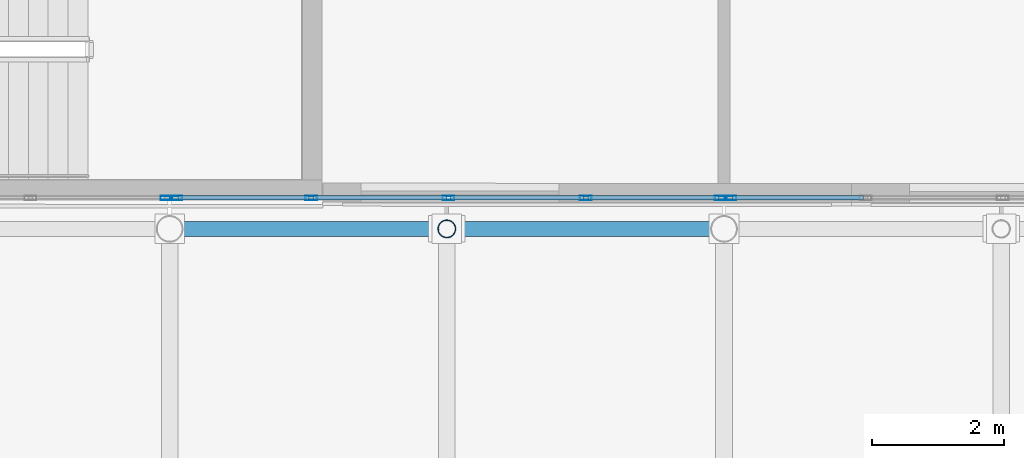
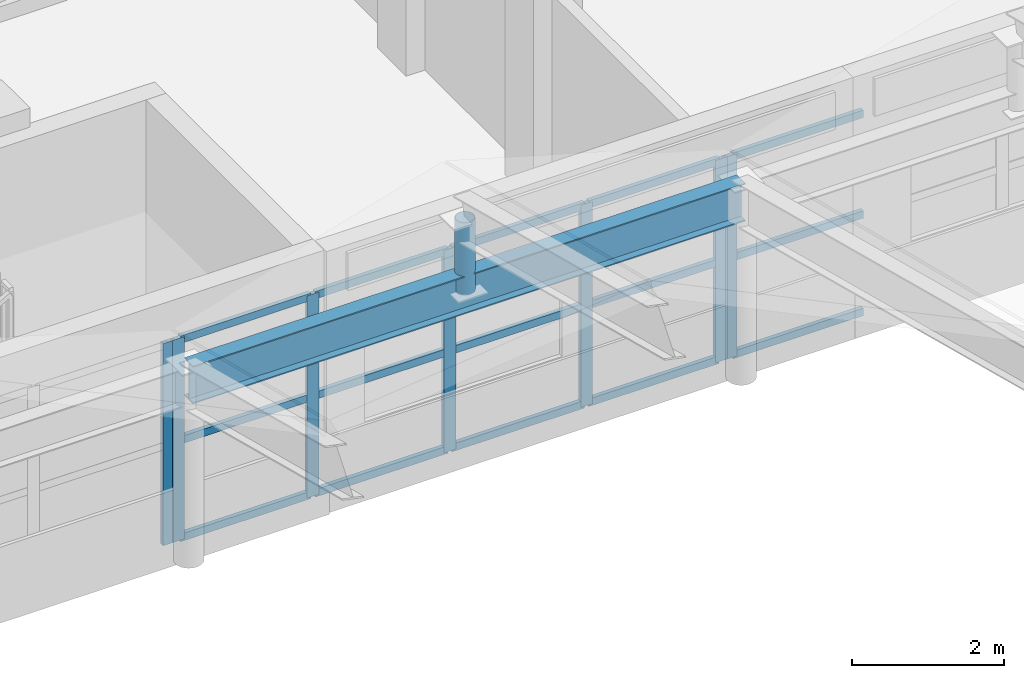
# One storey, part 78 of 184: 23 members, 1 beam, 3 elements without a shape of their own.
"""IFC4 building model written with IfcOpenShell, lengths in metres."""

from ifc_helpers import new_model, si_unit, direction, frame, origin, origin_2d, place, context, subcontext, project, spatial, hollow_rectangle, hollow_circle, i_section, extrude, material, material_profile, profile_set, type_object, element, aggregate, save


model = new_model("IFC4")

# Units and contexts
model_context = context("Model", 3, precision=1e-05, world=origin(), true_north=direction((0.0, 1.0)))
body_context = subcontext(model_context, "Body", "Model", "MODEL_VIEW")
ifc_project = project(units=[si_unit("LENGTHUNIT", "METRE"), si_unit("AREAUNIT", "SQUARE_METRE"), si_unit("VOLUMEUNIT", "CUBIC_METRE"), si_unit("PLANEANGLEUNIT", "RADIAN"), si_unit("MASSUNIT", "GRAM", prefix="KILO")], contexts=[model_context])

# Site, building, storey
site_placement = place(None, origin())
site = spatial("IfcSite", under=ifc_project, at=site_placement, CompositionType="ELEMENT")
building_placement = place(site_placement, origin())
building = spatial("IfcBuilding", under=site, at=building_placement, Name="Selatvlak General Hospital", CompositionType="ELEMENT")
storey_placement = place(building_placement, frame((0.0, 0.0, 15.0)))
storey = spatial("IfcBuildingStorey", under=building, at=storey_placement, Name="L03", CompositionType="ELEMENT", Elevation=15.0)

# Beam
ifc_material_1 = material(Name="Steel S355", Category="steel")
ifc_material_profile_1 = material_profile(ifc_material_1, i_section(OverallWidth=0.228271484375, OverallDepth=0.607666015625, WebThickness=0.010986328125, FlangeThickness=0.017333984375, at=origin_2d()), Name="UB 610x229x113")
ifc_profile_set_1 = profile_set([ifc_material_profile_1], Name="Steel S355")
beam_type = type_object("IfcBeamType", Name="BM-RF4", PredefinedType="BEAM", material=ifc_profile_set_1)
beam_placement = place(storey_placement, frame((31.199951171875, 83.449951171875, 2.87109375), z_axis=(1.0, 0.0, 0.0), x_axis=(0.0, 1.0, 0.0)))
element("IfcBeam", 1, at=beam_placement, inside=storey, type_object=beam_type, Name="Folded roof N valley girder 2", PredefinedType="BEAM", context=body_context, shape_type="SweptSolid", body=[
    extrude(i_section(OverallWidth=0.228271484375, OverallDepth=0.607666015625, WebThickness=0.010986328125, FlangeThickness=0.017333984375, at=origin_2d()), origin(), (0.0, 0.0, 1.0), 8.400146484375),
])

# Curtain wall, member
ifc_material_2 = material(Name="Solar-control Low-E double glazing", Category="glass")
curtain_wall_type = type_object("IfcCurtainWallType", Name="CW-CW-04", PredefinedType="USERDEFINED", material=ifc_material_2)
curtain_wall_1_placement = place(storey_placement, origin())
curtain_wall_1 = element("IfcCurtainWall", 2, at=curtain_wall_1_placement, inside=storey, type_object=curtain_wall_type, Name="Glazed facade curtain wall CW-L03-0716", ObjectType="STICK GLAZING WALL", PredefinedType="USERDEFINED")
ifc_material_3 = material(Name="Dark anodised aluminium mullion", Category="aluminium")
ifc_material_profile_2 = material_profile(ifc_material_3, hollow_rectangle(XDim=0.06494140625, YDim=0.179931640625, WallThickness=0.00439453125, at=origin_2d()), Name="AL-MUL 65x180x4.5")
ifc_profile_set_2 = profile_set([ifc_material_profile_2], Name="Dark anodised aluminium mullion")
member_type_1 = type_object("IfcMemberType", Name="CWM-02", PredefinedType="MULLION", material=ifc_profile_set_2)
member_1_placement = place(storey_placement, frame((31.152587890625, 83.919921875, 0.0), z_axis=(0.0, 0.0, 1.0), x_axis=(0.0, 1.0, 0.0)))
member_1 = element("IfcMember", 3, at=member_1_placement, type_object=member_type_1, Name="CW-04 mullion 5", PredefinedType="MULLION", context=body_context, shape_type="SweptSolid", body=[
    extrude(hollow_rectangle(XDim=0.06494140625, YDim=0.179931640625, WallThickness=0.00439453125, at=origin_2d()), origin(), (0.0, 0.0, 1.0), 3.25),
])
aggregate(curtain_wall_1, [member_1])

# Curtain wall, members
curtain_wall_2_placement = place(storey_placement, origin())
curtain_wall_2 = element("IfcCurtainWall", 4, at=curtain_wall_2_placement, inside=storey, type_object=curtain_wall_type, Name="Glazed facade curtain wall CW-L03-0717", ObjectType="STICK GLAZING WALL", PredefinedType="USERDEFINED")
member_2_placement = place(storey_placement, frame((31.297607421875, 83.919921875, 0.0), z_axis=(0.0, 0.0, 1.0), x_axis=(0.0, 1.0, 0.0)))
member_2 = element("IfcMember", 5, at=member_2_placement, type_object=member_type_1, Name="CW-04 mullion 1", PredefinedType="MULLION", context=body_context, shape_type="SweptSolid", body=[
    extrude(hollow_rectangle(XDim=0.06494140625, YDim=0.179931640625, WallThickness=0.00439453125, at=origin_2d()), origin(), (0.0, 0.0, 1.0), 3.25),
])
member_3_placement = place(storey_placement, frame((33.344970703125, 83.919921875, 0.0), z_axis=(0.0, 0.0, 1.0), x_axis=(0.0, 1.0, 0.0)))
member_3 = element("IfcMember", 6, at=member_3_placement, type_object=member_type_1, Name="CW-04 mullion 2", PredefinedType="MULLION", context=body_context, shape_type="SweptSolid", body=[
    extrude(hollow_rectangle(XDim=0.06494140625, YDim=0.179931640625, WallThickness=0.00439453125, at=origin_2d()), origin(), (0.0, 0.0, 1.0), 3.25),
])
member_4_placement = place(storey_placement, frame((35.425048828125, 83.919921875, 0.0), z_axis=(0.0, 0.0, 1.0), x_axis=(0.0, 1.0, 0.0)))
member_4 = element("IfcMember", 7, at=member_4_placement, type_object=member_type_1, Name="CW-04 mullion 3", PredefinedType="MULLION", context=body_context, shape_type="SweptSolid", body=[
    extrude(hollow_rectangle(XDim=0.06494140625, YDim=0.179931640625, WallThickness=0.00439453125, at=origin_2d()), origin(), (0.0, 0.0, 1.0), 3.25),
])
member_5_placement = place(storey_placement, frame((37.5048828125, 83.919921875, 0.0), z_axis=(0.0, 0.0, 1.0), x_axis=(0.0, 1.0, 0.0)))
member_5 = element("IfcMember", 8, at=member_5_placement, type_object=member_type_1, Name="CW-04 mullion 4", PredefinedType="MULLION", context=body_context, shape_type="SweptSolid", body=[
    extrude(hollow_rectangle(XDim=0.06494140625, YDim=0.179931640625, WallThickness=0.00439453125, at=origin_2d()), origin(), (0.0, 0.0, 1.0), 3.25),
])
member_6_placement = place(storey_placement, frame((39.552490234375, 83.919921875, 0.0), z_axis=(0.0, 0.0, 1.0), x_axis=(0.0, 1.0, 0.0)))
member_6 = element("IfcMember", 9, at=member_6_placement, type_object=member_type_1, Name="CW-04 mullion 5", PredefinedType="MULLION", context=body_context, shape_type="SweptSolid", body=[
    extrude(hollow_rectangle(XDim=0.06494140625, YDim=0.179931640625, WallThickness=0.00439453125, at=origin_2d()), origin(), (0.0, 0.0, 1.0), 3.25),
])

# Curtain wall, member
curtain_wall_3_placement = place(storey_placement, origin())
curtain_wall_3 = element("IfcCurtainWall", 10, at=curtain_wall_3_placement, inside=storey, type_object=curtain_wall_type, Name="Glazed facade curtain wall CW-L03-0718", ObjectType="STICK GLAZING WALL", PredefinedType="USERDEFINED")
member_7_placement = place(storey_placement, frame((39.697509765625, 83.919921875, 0.0), z_axis=(0.0, 0.0, 1.0), x_axis=(0.0, 1.0, 0.0)))
member_7 = element("IfcMember", 11, at=member_7_placement, type_object=member_type_1, Name="CW-04 mullion 1", PredefinedType="MULLION", context=body_context, shape_type="SweptSolid", body=[
    extrude(hollow_rectangle(XDim=0.06494140625, YDim=0.179931640625, WallThickness=0.00439453125, at=origin_2d()), origin(), (0.0, 0.0, 1.0), 3.25),
])

# Member
ifc_material_profile_3 = material_profile(ifc_material_3, hollow_rectangle(XDim=0.06494140625, YDim=0.1201171875, WallThickness=0.00390625, at=origin_2d()), Name="AL-TRN 65x120x4")
ifc_profile_set_3 = profile_set([ifc_material_profile_3], Name="Dark anodised aluminium mullion")
member_type_2 = type_object("IfcMemberType", Name="CWT-01", PredefinedType="USERDEFINED", material=ifc_profile_set_3)
member_8_placement = place(storey_placement, frame((31.330078125, 83.919921875, 0.032470703125), z_axis=(1.0, 0.0, 0.0), x_axis=(0.0, 1.0, 0.0)))
member_8 = element("IfcMember", 12, at=member_8_placement, type_object=member_type_2, Name="CW-04 transom 1.1", ObjectType="TRANSOM", PredefinedType="USERDEFINED", context=body_context, shape_type="SweptSolid", body=[
    extrude(hollow_rectangle(XDim=0.06494140625, YDim=0.1201171875, WallThickness=0.00390625, at=origin_2d()), origin(), (0.0, 0.0, 1.0), 1.982421875),
])

member_9_placement = place(storey_placement, frame((31.330078125, 83.919921875, 1.60009765625), z_axis=(1.0, 0.0, 0.0), x_axis=(0.0, 1.0, 0.0)))
member_9 = element("IfcMember", 13, at=member_9_placement, type_object=member_type_2, Name="CW-04 transom 1.2", ObjectType="TRANSOM", PredefinedType="USERDEFINED", context=body_context, shape_type="SweptSolid", body=[
    extrude(hollow_rectangle(XDim=0.06494140625, YDim=0.1201171875, WallThickness=0.00390625, at=origin_2d()), origin(), (0.0, 0.0, 1.0), 1.982421875),
])

member_10_placement = place(storey_placement, frame((31.330078125, 83.919921875, 3.217529296875), z_axis=(1.0, 0.0, 0.0), x_axis=(0.0, 1.0, 0.0)))
member_10 = element("IfcMember", 14, at=member_10_placement, type_object=member_type_2, Name="CW-04 transom 1.3", ObjectType="TRANSOM", PredefinedType="USERDEFINED", context=body_context, shape_type="SweptSolid", body=[
    extrude(hollow_rectangle(XDim=0.06494140625, YDim=0.1201171875, WallThickness=0.00390625, at=origin_2d()), origin(), (0.0, 0.0, 1.0), 1.982421875),
])

member_11_placement = place(storey_placement, frame((33.37744140625, 83.919921875, 0.032470703125), z_axis=(1.0, 0.0, 0.0), x_axis=(0.0, 1.0, 0.0)))
member_11 = element("IfcMember", 15, at=member_11_placement, type_object=member_type_2, Name="CW-04 transom 2.1", ObjectType="TRANSOM", PredefinedType="USERDEFINED", context=body_context, shape_type="SweptSolid", body=[
    extrude(hollow_rectangle(XDim=0.06494140625, YDim=0.1201171875, WallThickness=0.00390625, at=origin_2d()), origin(), (0.0, 0.0, 1.0), 2.01513671875),
])

member_12_placement = place(storey_placement, frame((33.37744140625, 83.919921875, 1.60009765625), z_axis=(1.0, 0.0, 0.0), x_axis=(0.0, 1.0, 0.0)))
member_12 = element("IfcMember", 16, at=member_12_placement, type_object=member_type_2, Name="CW-04 transom 2.2", ObjectType="TRANSOM", PredefinedType="USERDEFINED", context=body_context, shape_type="SweptSolid", body=[
    extrude(hollow_rectangle(XDim=0.06494140625, YDim=0.1201171875, WallThickness=0.00390625, at=origin_2d()), origin(), (0.0, 0.0, 1.0), 2.01513671875),
])

member_13_placement = place(storey_placement, frame((33.37744140625, 83.919921875, 3.217529296875), z_axis=(1.0, 0.0, 0.0), x_axis=(0.0, 1.0, 0.0)))
member_13 = element("IfcMember", 17, at=member_13_placement, type_object=member_type_2, Name="CW-04 transom 2.3", ObjectType="TRANSOM", PredefinedType="USERDEFINED", context=body_context, shape_type="SweptSolid", body=[
    extrude(hollow_rectangle(XDim=0.06494140625, YDim=0.1201171875, WallThickness=0.00390625, at=origin_2d()), origin(), (0.0, 0.0, 1.0), 2.01513671875),
])

member_14_placement = place(storey_placement, frame((35.45751953125, 83.919921875, 0.032470703125), z_axis=(1.0, 0.0, 0.0), x_axis=(0.0, 1.0, 0.0)))
member_14 = element("IfcMember", 18, at=member_14_placement, type_object=member_type_2, Name="CW-04 transom 3.1", ObjectType="TRANSOM", PredefinedType="USERDEFINED", context=body_context, shape_type="SweptSolid", body=[
    extrude(hollow_rectangle(XDim=0.06494140625, YDim=0.1201171875, WallThickness=0.00390625, at=origin_2d()), origin(), (0.0, 0.0, 1.0), 2.014892578125),
])

member_15_placement = place(storey_placement, frame((35.45751953125, 83.919921875, 1.60009765625), z_axis=(1.0, 0.0, 0.0), x_axis=(0.0, 1.0, 0.0)))
member_15 = element("IfcMember", 19, at=member_15_placement, type_object=member_type_2, Name="CW-04 transom 3.2", ObjectType="TRANSOM", PredefinedType="USERDEFINED", context=body_context, shape_type="SweptSolid", body=[
    extrude(hollow_rectangle(XDim=0.06494140625, YDim=0.1201171875, WallThickness=0.00390625, at=origin_2d()), origin(), (0.0, 0.0, 1.0), 2.014892578125),
])

member_16_placement = place(storey_placement, frame((35.45751953125, 83.919921875, 3.217529296875), z_axis=(1.0, 0.0, 0.0), x_axis=(0.0, 1.0, 0.0)))
member_16 = element("IfcMember", 20, at=member_16_placement, type_object=member_type_2, Name="CW-04 transom 3.3", ObjectType="TRANSOM", PredefinedType="USERDEFINED", context=body_context, shape_type="SweptSolid", body=[
    extrude(hollow_rectangle(XDim=0.06494140625, YDim=0.1201171875, WallThickness=0.00390625, at=origin_2d()), origin(), (0.0, 0.0, 1.0), 2.014892578125),
])

member_17_placement = place(storey_placement, frame((37.53759765625, 83.919921875, 0.032470703125), z_axis=(1.0, 0.0, 0.0), x_axis=(0.0, 1.0, 0.0)))
member_17 = element("IfcMember", 21, at=member_17_placement, type_object=member_type_2, Name="CW-04 transom 4.1", ObjectType="TRANSOM", PredefinedType="USERDEFINED", context=body_context, shape_type="SweptSolid", body=[
    extrude(hollow_rectangle(XDim=0.06494140625, YDim=0.1201171875, WallThickness=0.00390625, at=origin_2d()), origin(), (0.0, 0.0, 1.0), 1.982421875),
])

member_18_placement = place(storey_placement, frame((37.53759765625, 83.919921875, 1.60009765625), z_axis=(1.0, 0.0, 0.0), x_axis=(0.0, 1.0, 0.0)))
member_18 = element("IfcMember", 22, at=member_18_placement, type_object=member_type_2, Name="CW-04 transom 4.2", ObjectType="TRANSOM", PredefinedType="USERDEFINED", context=body_context, shape_type="SweptSolid", body=[
    extrude(hollow_rectangle(XDim=0.06494140625, YDim=0.1201171875, WallThickness=0.00390625, at=origin_2d()), origin(), (0.0, 0.0, 1.0), 1.982421875),
])

member_19_placement = place(storey_placement, frame((37.53759765625, 83.919921875, 3.217529296875), z_axis=(1.0, 0.0, 0.0), x_axis=(0.0, 1.0, 0.0)))
member_19 = element("IfcMember", 23, at=member_19_placement, type_object=member_type_2, Name="CW-04 transom 4.3", ObjectType="TRANSOM", PredefinedType="USERDEFINED", context=body_context, shape_type="SweptSolid", body=[
    extrude(hollow_rectangle(XDim=0.06494140625, YDim=0.1201171875, WallThickness=0.00390625, at=origin_2d()), origin(), (0.0, 0.0, 1.0), 1.982421875),
])

aggregate(curtain_wall_2, [member_2, member_3, member_4, member_5, member_6, member_8, member_9, member_10, member_11, member_12, member_13, member_14, member_15, member_16, member_17, member_18, member_19])

member_20_placement = place(storey_placement, frame((39.72998046875, 83.919921875, 0.032470703125), z_axis=(1.0, 0.0, 0.0), x_axis=(0.0, 1.0, 0.0)))
member_20 = element("IfcMember", 24, at=member_20_placement, type_object=member_type_2, Name="CW-04 transom 1.1", ObjectType="TRANSOM", PredefinedType="USERDEFINED", context=body_context, shape_type="SweptSolid", body=[
    extrude(hollow_rectangle(XDim=0.06494140625, YDim=0.1201171875, WallThickness=0.00390625, at=origin_2d()), origin(), (0.0, 0.0, 1.0), 1.982421875),
])

member_21_placement = place(storey_placement, frame((39.72998046875, 83.919921875, 1.60009765625), z_axis=(1.0, 0.0, 0.0), x_axis=(0.0, 1.0, 0.0)))
member_21 = element("IfcMember", 25, at=member_21_placement, type_object=member_type_2, Name="CW-04 transom 1.2", ObjectType="TRANSOM", PredefinedType="USERDEFINED", context=body_context, shape_type="SweptSolid", body=[
    extrude(hollow_rectangle(XDim=0.06494140625, YDim=0.1201171875, WallThickness=0.00390625, at=origin_2d()), origin(), (0.0, 0.0, 1.0), 1.982421875),
])

member_22_placement = place(storey_placement, frame((39.72998046875, 83.919921875, 3.217529296875), z_axis=(1.0, 0.0, 0.0), x_axis=(0.0, 1.0, 0.0)))
member_22 = element("IfcMember", 26, at=member_22_placement, type_object=member_type_2, Name="CW-04 transom 1.3", ObjectType="TRANSOM", PredefinedType="USERDEFINED", context=body_context, shape_type="SweptSolid", body=[
    extrude(hollow_rectangle(XDim=0.06494140625, YDim=0.1201171875, WallThickness=0.00390625, at=origin_2d()), origin(), (0.0, 0.0, 1.0), 1.982421875),
])

aggregate(curtain_wall_3, [member_7, member_20, member_21, member_22])

ifc_material_profile_4 = material_profile(ifc_material_1, hollow_circle(Radius=0.136474609375, WallThickness=0.010009765625, at=origin_2d()), Name="CHS 273.0x10")
ifc_profile_set_4 = profile_set([ifc_material_profile_4], Name="Steel S355")
member_type_3 = type_object("IfcMemberType", Name="MEM-ST1", PredefinedType="STRUT", material=ifc_profile_set_4)
member_23_placement = place(storey_placement, frame((35.39990234375, 83.449951171875, 2.87109375), z_axis=(0.0, 0.0, 1.0), x_axis=(1.0, 0.0, 0.0)))
element("IfcMember", 27, at=member_23_placement, inside=storey, type_object=member_type_3, Name="Folded roof ridge kingpost N-3", PredefinedType="STRUT", context=body_context, shape_type="SweptSolid", body=[
    extrude(hollow_circle(Radius=0.136474609375, WallThickness=0.010009765625, at=origin_2d()), origin(), (0.0, 0.0, 1.0), 1.161865234375),
])

save(model, "model.ifc")
